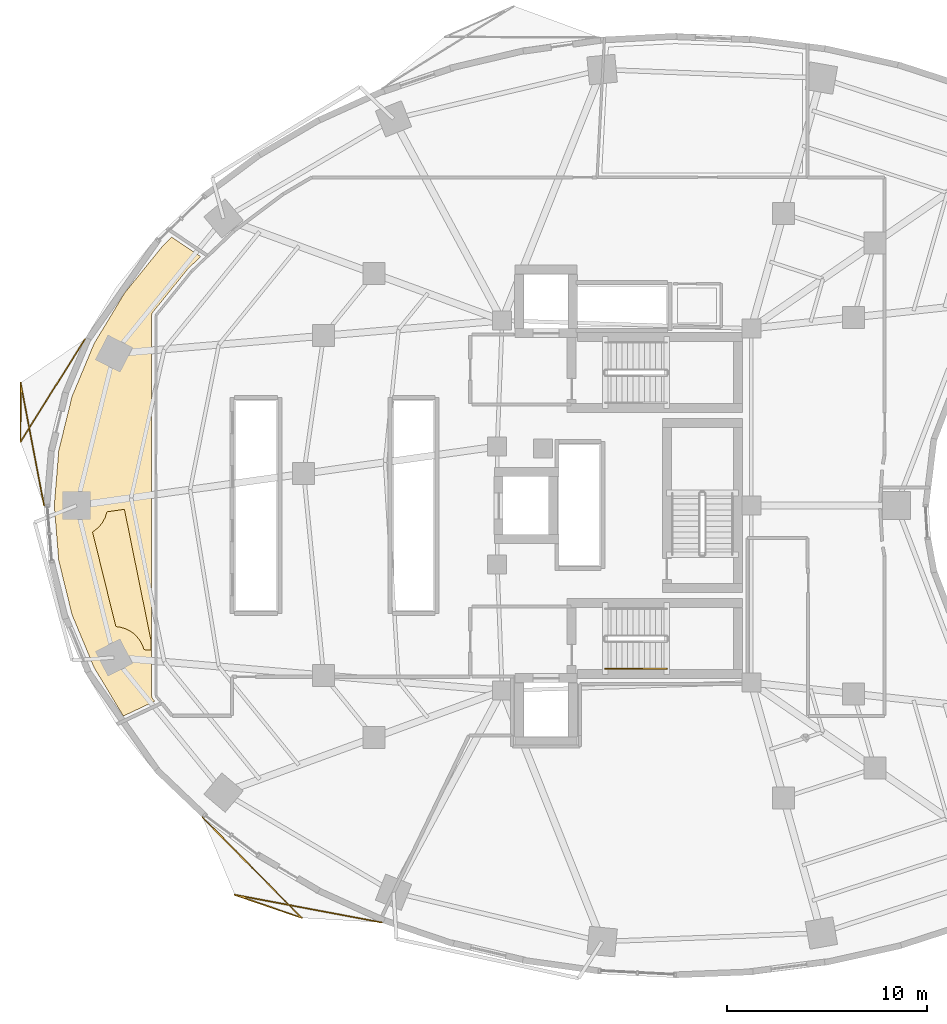
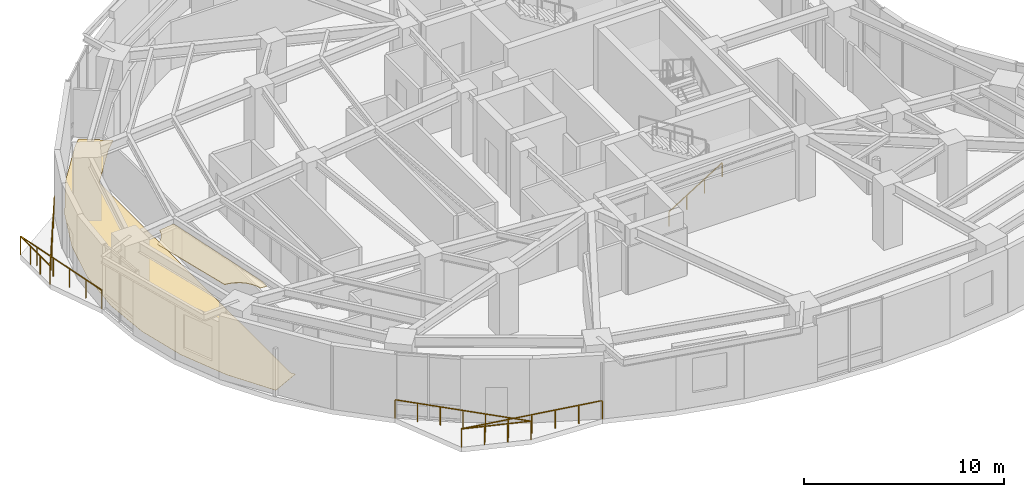
# One storey, part 12 of 13: 3 railings, 2 coverings.
"""IFC4 building model written with IfcOpenShell, lengths in metres."""

import ifcopenshell
import ifcopenshell.guid

model = None  # the IFC model being written
_history = None  # IfcOwnerHistory: only IFC2X3 demands one
_inside = {}  # id of a spatial element -> (the spatial element, [elements in it])
_under = {}  # id of a project, library or spatial element -> (it, [spatial elements below it])
_declared = {}  # id of a project -> (the project, [libraries it declares])
_typed = {}  # id of a type object -> (the type object, [elements of that type])
_made_of = {}  # id of a material, layer set ... -> (it, [elements and type objects made of it])


def new_model(schema):
    """Start an empty IFC model of exactly this schema.

    Asked for "IFC4X3", IfcOpenShell would pick the latest addendum, in which some entities
    have other attributes; the version numbers below select the first issue.
    IFC2X3 requires an IfcOwnerHistory on every rooted entity: one is made here for all.
    """
    global model, _history
    if schema == "IFC4X3":
        model = ifcopenshell.file(schema_version=(4, 3, 0, 0))
    else:
        model = ifcopenshell.file(schema=schema)
    _inside.clear()
    _under.clear()
    _declared.clear()
    _typed.clear()
    _made_of.clear()
    _history = None
    if model.schema == "IFC2X3":
        org = make("IfcOrganization", Name="unknown")
        user = make(
            "IfcPersonAndOrganization",
            ThePerson=make("IfcPerson", FamilyName="unknown"),
            TheOrganization=org,
        )
        app = make(
            "IfcApplication",
            ApplicationDeveloper=org,
            Version="unknown",
            ApplicationFullName="unknown",
            ApplicationIdentifier="unknown",
        )
        _history = make(
            "IfcOwnerHistory",
            OwningUser=user,
            OwningApplication=app,
            ChangeAction="ADDED",
            CreationDate=0,
        )
    return model


def make(cls, **values):
    """One entity of the class cls with the attributes given. An attribute that is None is left unset."""
    return model.create_entity(
        cls, **{name: value for name, value in values.items() if value is not None}
    )


def rooted(cls, **values):
    """An entity with a GlobalId (a new one), such as an element, a storey or a relation."""
    return make(cls, GlobalId=ifcopenshell.guid.new(), OwnerHistory=_history, **values)


def si_unit(unit_type, name, prefix=None):
    """IfcSIUnit, for example si_unit("LENGTHUNIT", "METRE", prefix="MILLI")."""
    return make("IfcSIUnit", UnitType=unit_type, Prefix=prefix, Name=name)


def assignment(units):
    """IfcUnitAssignment: the units of a project."""
    return None if units is None else make("IfcUnitAssignment", Units=units)


def point(xyz):
    """IfcCartesianPoint."""
    return None if xyz is None else make("IfcCartesianPoint", Coordinates=xyz)


def direction(xyz):
    """IfcDirection."""
    return None if xyz is None else make("IfcDirection", DirectionRatios=xyz)


def frame(location, z_axis=None, x_axis=None):
    """IfcAxis2Placement3D, a coordinate frame: its origin and axes. An axis left out is left unset."""
    return make(
        "IfcAxis2Placement3D",
        Location=point(location),
        Axis=direction(z_axis),
        RefDirection=direction(x_axis),
    )


def frame_2d(location, x_axis=None):
    """IfcAxis2Placement2D, a coordinate frame in the plane: its origin and x axis."""
    return make(
        "IfcAxis2Placement2D", Location=point(location), RefDirection=direction(x_axis)
    )


def origin():
    """The frame at (0, 0, 0) with its axes left unset."""
    return frame((0.0, 0.0, 0.0))


def origin_2d():
    """The frame at (0, 0) in the plane with its x axis left unset."""
    return frame_2d((0.0, 0.0))


def place(relative_to, where):
    """IfcLocalPlacement: puts the frame where relative to a parent placement (None: the world)."""
    return make(
        "IfcLocalPlacement", PlacementRelTo=relative_to, RelativePlacement=where
    )


def context(
    kind, dimensions, precision=None, world=None, true_north=None, identifier=None
):
    """IfcGeometricRepresentationContext, for example the 3D "Model" context."""
    return make(
        "IfcGeometricRepresentationContext",
        ContextIdentifier=identifier,
        ContextType=kind,
        CoordinateSpaceDimension=dimensions,
        Precision=precision,
        WorldCoordinateSystem=world,
        TrueNorth=true_north,
    )


def subcontext(parent, identifier, kind, view, scale=None):
    """IfcGeometricRepresentationSubContext, for example "Body" below "Model"."""
    return make(
        "IfcGeometricRepresentationSubContext",
        ContextIdentifier=identifier,
        ContextType=kind,
        ParentContext=parent,
        TargetScale=scale,
        TargetView=view,
    )


def project(units=None, contexts=None):
    """IfcProject with its units and contexts."""
    return rooted(
        "IfcProject",
        Name="project",
        RepresentationContexts=contexts,
        UnitsInContext=assignment(units),
    )


def spatial(cls, under=None, at=None, **own):
    """A site, building, storey or space (cls), placed at a placement, below another one or the project."""
    s = rooted(cls, ObjectPlacement=at, **own)
    if under is not None:
        _under.setdefault(under.id(), (under, []))[1].append(s)
    return s


def polyline(points):
    """IfcPolyline through the points."""
    return make("IfcPolyline", Points=[point(p) for p in points])


def profile(cls, at=None, kind="AREA", **sizes):
    """A parametric profile (cls). Its sizes go by their IFC names, for example OverallWidth=200.0."""
    return make(cls, ProfileType=kind, Position=at, **sizes)


def rectangle(**sizes):
    """IfcRectangleProfileDef."""
    return profile("IfcRectangleProfileDef", **sizes)


def outline(outer, holes=None, kind="AREA"):
    """IfcArbitraryClosedProfileDef: a profile drawn as a closed curve; with holes, ...WithVoids."""
    if holes is None:
        return make("IfcArbitraryClosedProfileDef", ProfileType=kind, OuterCurve=outer)
    return make(
        "IfcArbitraryProfileDefWithVoids",
        ProfileType=kind,
        OuterCurve=outer,
        InnerCurves=holes,
    )


def extrude(swept, where, along, depth):
    """IfcExtrudedAreaSolid: the profile swept, set in the frame where, extruded along a direction by depth."""
    return make(
        "IfcExtrudedAreaSolid",
        SweptArea=swept,
        Position=where,
        ExtrudedDirection=direction(along),
        Depth=depth,
    )


def shape(context_of_items, identifier, shape_type, items):
    """IfcShapeRepresentation: the items that make up one representation, for example the "Body"."""
    return make(
        "IfcShapeRepresentation",
        ContextOfItems=context_of_items,
        RepresentationIdentifier=identifier,
        RepresentationType=shape_type,
        Items=items,
    )


def material(Name=None, Category=None):
    """IfcMaterial."""
    return make("IfcMaterial", Name=Name, Category=Category)


def layer(
    of_material, thickness, ventilated=None, Name=None, Category=None, Priority=None
):
    """IfcMaterialLayer: one layer of a wall or slab, of a material (None: an air gap)."""
    return make(
        "IfcMaterialLayer",
        Material=of_material,
        LayerThickness=thickness,
        IsVentilated=ventilated,
        Name=Name,
        Category=Category,
        Priority=Priority,
    )


def layer_set(layers, Name=None):
    """IfcMaterialLayerSet."""
    return make("IfcMaterialLayerSet", MaterialLayers=layers, LayerSetName=Name)


def made_of(thing, what):
    """Note that an element or type object is made of a material, layer set ...; save() writes the relation."""
    if what is not None:
        _made_of.setdefault(what.id(), (what, []))[1].append(thing)
    return thing


def type_object(cls, material=None, **own):
    """A type object (cls), such as IfcWallType, which elements share."""
    return made_of(rooted(cls, **own), material)


def element(
    cls,
    number,
    at=None,
    inside=None,
    cuts=None,
    type_object=None,
    material=None,
    context=None,
    identifier="Body",
    shape_type=None,
    held_by="IfcProductDefinitionShape",
    body=None,
    shapes=None,
    **own,
):
    """One element of the class cls, such as IfcWall. Its Tag is "e" and its number.

    at: its placement. inside: the storey or other place that contains it. cuts: it is an
    opening in that element (IfcRelVoidsElement). A single representation is given by context,
    identifier, shape_type and body (its items); several are given by shapes. held_by: the class
    of the entity that holds the representations. save() writes the other relations.
    """
    e = rooted(cls, Tag="e%d" % number, ObjectPlacement=at, **own)
    if body is not None:
        shapes = [shape(context, identifier, shape_type, body)]
    if shapes is not None:
        e.Representation = make(held_by, Representations=shapes)
    if inside is not None:
        _inside.setdefault(inside.id(), (inside, []))[1].append(e)
    if cuts is not None:
        rooted(
            "IfcRelVoidsElement", RelatingBuildingElement=cuts, RelatedOpeningElement=e
        )
    if type_object is not None:
        _typed.setdefault(type_object.id(), (type_object, []))[1].append(e)
    return made_of(e, material)


def aggregate(whole, parts):
    """IfcRelAggregates: a whole, such as a stair, and the parts it consists of."""
    return rooted("IfcRelAggregates", RelatingObject=whole, RelatedObjects=parts)


def save(model, path):
    """Write the relations noted so far, then the file.

    IfcRelAggregates (storeys below a building ...), IfcRelContainedInSpatialStructure (elements
    in a storey), IfcRelDefinesByType, IfcRelAssociatesMaterial and IfcRelDeclares: one each for
    every whole, place, type object, material and project.
    """
    for whole, parts in _under.values():
        aggregate(whole, parts)
    for where, things in _inside.values():
        rooted(
            "IfcRelContainedInSpatialStructure",
            RelatedElements=things,
            RelatingStructure=where,
        )
    for kind, things in _typed.values():
        rooted("IfcRelDefinesByType", RelatedObjects=things, RelatingType=kind)
    for what, things in _made_of.values():
        rooted("IfcRelAssociatesMaterial", RelatedObjects=things, RelatingMaterial=what)
    for by, libraries in _declared.values():
        rooted("IfcRelDeclares", RelatingContext=by, RelatedDefinitions=libraries)
    model.write(path)


model = new_model("IFC4")

# Units and contexts
model_context = context("Model", 3, precision=1e-05, world=origin(), true_north=direction((0.0, 1.0)))
body_context = subcontext(model_context, "Body", "Model", "MODEL_VIEW")
ifc_project = project(units=[si_unit("LENGTHUNIT", "METRE"), si_unit("AREAUNIT", "SQUARE_METRE"), si_unit("VOLUMEUNIT", "CUBIC_METRE"), si_unit("PLANEANGLEUNIT", "RADIAN"), si_unit("MASSUNIT", "GRAM", prefix="KILO")], contexts=[model_context])

# Site, building, storey
site_placement = place(None, origin())
site = spatial("IfcSite", under=ifc_project, at=site_placement, CompositionType="ELEMENT")
building_placement = place(site_placement, origin())
building = spatial("IfcBuilding", under=site, at=building_placement, Name="Korentha Bioscience Tower", CompositionType="ELEMENT")
storey_placement = place(building_placement, frame((0.0, 0.0, 67.800048828125)))
storey = spatial("IfcBuildingStorey", under=building, at=storey_placement, Name="L15", CompositionType="ELEMENT", Elevation=67.800048828125)

# Railings
ifc_material_1 = material(Name="Stainless Steel 304", Category="steel")
railing_type_1 = type_object("IfcRailingType", Name="Brushed Stainless Stair Handrail 900", PredefinedType="HANDRAIL", material=ifc_material_1)
railing_1_placement = place(storey_placement, frame((30.25, 18.85009765625, 0.175048828125)))
element("IfcRailing", 1, at=railing_1_placement, inside=storey, type_object=railing_type_1, Name="L15 ST-2 stair handrail 1", PredefinedType="HANDRAIL", context=body_context, shape_type="SweptSolid", body=[
    extrude(rectangle(XDim=0.048095703125, YDim=0.048095703125, at=origin_2d()), frame((0.0, 0.0, 0.8759765625), z_axis=(0.848028513186, 0.0, 0.529950602248), x_axis=(0.0, 1.0, 0.0)), (0.0, 0.0, 1.0), 3.632080078125),
    extrude(rectangle(XDim=0.0419921875, YDim=0.0419921875, at=origin_2d()), origin(), (0.0, 0.0, 1.0), 0.851806640625),
    extrude(rectangle(XDim=0.0419921875, YDim=0.0419921875, at=origin_2d()), frame((1.026611328125, 0.0, 0.6416015625)), (0.0, 0.0, 1.0), 0.851806640625),
    extrude(rectangle(XDim=0.0419921875, YDim=0.0419921875, at=origin_2d()), frame((2.053466796875, 0.0, 1.283203125)), (0.0, 0.0, 1.0), 0.851806640625),
    extrude(rectangle(XDim=0.0419921875, YDim=0.0419921875, at=origin_2d()), frame((3.080078125, 0.0, 1.9248046875)), (0.0, 0.0, 1.0), 0.851806640625),
])
ifc_material_2 = material(Name="Laminated Tempered Safety Glass", Category="glass")
railing_type_2 = type_object("IfcRailingType", Name="Laminated Glass Balcony Guardrail 1150", PredefinedType="BALUSTRADE", material=ifc_material_2)
railing_2_placement = place(storey_placement, frame((4.246337890625, 35.3291015625, 0.0)))
element("IfcRailing", 2, at=railing_2_placement, inside=storey, type_object=railing_type_2, Name="L15 Balcony Guardrail 02", PredefinedType="BALUSTRADE", context=body_context, shape_type="SweptSolid", body=[
    extrude(rectangle(XDim=0.048095703125, YDim=0.048095703125, at=origin_2d()), frame((0.0, 0.0, 1.1259765625), z_axis=(-0.530529545818, -0.847666444431, 0.0), x_axis=(0.847666444431, -0.530529545818, 0.0)), (0.0, 0.0, 1.0), 6.07861328125),
    extrude(rectangle(XDim=0.048095703125, YDim=0.048095703125, at=origin_2d()), frame((-3.224853515625, -5.152587890625, 1.1259765625), z_axis=(0.001898939773, 0.999998197012, 0.0), x_axis=(-0.999998197012, 0.001898939773, 0.0)), (0.0, 0.0, 1.0), 2.95703125),
    extrude(rectangle(XDim=0.048095703125, YDim=0.048095703125, at=origin_2d()), frame((-3.21923828125, -2.195556640625, 1.1259765625), z_axis=(0.18781629778, -0.982204173422, 0.0), x_axis=(0.982204173422, 0.18781629778, 0.0)), (0.0, 0.0, 1.0), 6.24462890625),
    extrude(rectangle(XDim=0.0419921875, YDim=0.0419921875, at=origin_2d()), origin(), (0.0, 0.0, 1.0), 1.101806640625),
    extrude(rectangle(XDim=0.0419921875, YDim=0.0419921875, at=origin_2d()), frame((-0.64501953125, -1.030517578125, 0.0)), (0.0, 0.0, 1.0), 1.101806640625),
    extrude(rectangle(XDim=0.0419921875, YDim=0.0419921875, at=origin_2d()), frame((-1.2900390625, -2.06103515625, 0.0)), (0.0, 0.0, 1.0), 1.101806640625),
    extrude(rectangle(XDim=0.0419921875, YDim=0.0419921875, at=origin_2d()), frame((-1.934814453125, -3.091552734375, 0.0)), (0.0, 0.0, 1.0), 1.101806640625),
    extrude(rectangle(XDim=0.0419921875, YDim=0.0419921875, at=origin_2d()), frame((-2.579833984375, -4.1220703125, 0.0)), (0.0, 0.0, 1.0), 1.101806640625),
    extrude(rectangle(XDim=0.0419921875, YDim=0.0419921875, at=origin_2d()), frame((-3.224853515625, -5.152587890625, 0.0)), (0.0, 0.0, 1.0), 1.101806640625),
    extrude(rectangle(XDim=0.0419921875, YDim=0.0419921875, at=origin_2d()), frame((-3.222900390625, -4.1669921875, 0.0)), (0.0, 0.0, 1.0), 1.101806640625),
    extrude(rectangle(XDim=0.0419921875, YDim=0.0419921875, at=origin_2d()), frame((-3.22119140625, -3.18115234375, 0.0)), (0.0, 0.0, 1.0), 1.101806640625),
    extrude(rectangle(XDim=0.0419921875, YDim=0.0419921875, at=origin_2d()), frame((-3.21923828125, -2.195556640625, 0.0)), (0.0, 0.0, 1.0), 1.101806640625),
    extrude(rectangle(XDim=0.0419921875, YDim=0.0419921875, at=origin_2d()), frame((-2.984619140625, -3.42236328125, 0.0)), (0.0, 0.0, 1.0), 1.101806640625),
    extrude(rectangle(XDim=0.0419921875, YDim=0.0419921875, at=origin_2d()), frame((-2.75, -4.64892578125, 0.0)), (0.0, 0.0, 1.0), 1.101806640625),
    extrude(rectangle(XDim=0.0419921875, YDim=0.0419921875, at=origin_2d()), frame((-2.515625, -5.875732421875, 0.0)), (0.0, 0.0, 1.0), 1.101806640625),
    extrude(rectangle(XDim=0.0419921875, YDim=0.0419921875, at=origin_2d()), frame((-2.281005859375, -7.102294921875, 0.0)), (0.0, 0.0, 1.0), 1.101806640625),
    extrude(rectangle(XDim=0.0419921875, YDim=0.0419921875, at=origin_2d()), frame((-2.04638671875, -8.3291015625, 0.0)), (0.0, 0.0, 1.0), 1.101806640625),
])
railing_3_placement = place(storey_placement, frame((10.1220703125, 11.41357421875, 0.0)))
element("IfcRailing", 3, at=railing_3_placement, inside=storey, type_object=railing_type_2, Name="L15 Balcony Guardrail 03", PredefinedType="BALUSTRADE", context=body_context, shape_type="SweptSolid", body=[
    extrude(rectangle(XDim=0.048095703125, YDim=0.048095703125, at=origin_2d()), frame((0.0, 0.0, 1.1259765625), z_axis=(0.702297818863, -0.711883258421, 0.0), x_axis=(0.711883258421, 0.702297818863, 0.0)), (0.0, 0.0, 1.0), 7.05517578125),
    extrude(rectangle(XDim=0.048095703125, YDim=0.048095703125, at=origin_2d()), frame((4.954833984375, -5.0224609375, 1.1259765625), z_axis=(-0.945411031533, 0.325880317687, 0.0), x_axis=(-0.325880317687, -0.945411031533, 0.0)), (0.0, 0.0, 1.0), 3.545166015625),
    extrude(rectangle(XDim=0.048095703125, YDim=0.048095703125, at=origin_2d()), frame((1.603271484375, -3.8671875, 1.1259765625), z_axis=(0.982707994599, -0.185162084002, 0.0), x_axis=(0.185162084002, 0.982707994599, 0.0)), (0.0, 0.0, 1.0), 7.474609375),
    extrude(rectangle(XDim=0.0419921875, YDim=0.0419921875, at=origin_2d()), origin(), (0.0, 0.0, 1.0), 1.101806640625),
    extrude(rectangle(XDim=0.0419921875, YDim=0.0419921875, at=origin_2d()), frame((0.82568359375, -0.837158203125, 0.0)), (0.0, 0.0, 1.0), 1.101806640625),
    extrude(rectangle(XDim=0.0419921875, YDim=0.0419921875, at=origin_2d()), frame((1.651611328125, -1.674072265625, 0.0)), (0.0, 0.0, 1.0), 1.101806640625),
    extrude(rectangle(XDim=0.0419921875, YDim=0.0419921875, at=origin_2d()), frame((2.4775390625, -2.51123046875, 0.0)), (0.0, 0.0, 1.0), 1.101806640625),
    extrude(rectangle(XDim=0.0419921875, YDim=0.0419921875, at=origin_2d()), frame((3.30322265625, -3.348388671875, 0.0)), (0.0, 0.0, 1.0), 1.101806640625),
    extrude(rectangle(XDim=0.0419921875, YDim=0.0419921875, at=origin_2d()), frame((4.12890625, -4.185302734375, 0.0)), (0.0, 0.0, 1.0), 1.101806640625),
    extrude(rectangle(XDim=0.0419921875, YDim=0.0419921875, at=origin_2d()), frame((4.954833984375, -5.0224609375, 0.0)), (0.0, 0.0, 1.0), 1.101806640625),
    extrude(rectangle(XDim=0.0419921875, YDim=0.0419921875, at=origin_2d()), frame((3.837646484375, -4.637451171875, 0.0)), (0.0, 0.0, 1.0), 1.101806640625),
    extrude(rectangle(XDim=0.0419921875, YDim=0.0419921875, at=origin_2d()), frame((2.720458984375, -4.252197265625, 0.0)), (0.0, 0.0, 1.0), 1.101806640625),
    extrude(rectangle(XDim=0.0419921875, YDim=0.0419921875, at=origin_2d()), frame((1.603271484375, -3.8671875, 0.0)), (0.0, 0.0, 1.0), 1.101806640625),
    extrude(rectangle(XDim=0.0419921875, YDim=0.0419921875, at=origin_2d()), frame((2.82763671875, -4.097900390625, 0.0)), (0.0, 0.0, 1.0), 1.101806640625),
    extrude(rectangle(XDim=0.0419921875, YDim=0.0419921875, at=origin_2d()), frame((4.0517578125, -4.32861328125, 0.0)), (0.0, 0.0, 1.0), 1.101806640625),
    extrude(rectangle(XDim=0.0419921875, YDim=0.0419921875, at=origin_2d()), frame((5.27587890625, -4.55908203125, 0.0)), (0.0, 0.0, 1.0), 1.101806640625),
    extrude(rectangle(XDim=0.0419921875, YDim=0.0419921875, at=origin_2d()), frame((6.500244140625, -4.789794921875, 0.0)), (0.0, 0.0, 1.0), 1.101806640625),
    extrude(rectangle(XDim=0.0419921875, YDim=0.0419921875, at=origin_2d()), frame((7.724609375, -5.0205078125, 0.0)), (0.0, 0.0, 1.0), 1.101806640625),
    extrude(rectangle(XDim=0.0419921875, YDim=0.0419921875, at=origin_2d()), frame((8.94873046875, -5.251220703125, 0.0)), (0.0, 0.0, 1.0), 1.101806640625),
])

# Coverings
ifc_material_3 = material(Name="Antimicrobial Mineral Fibre Board", Category="gypsum")
ifc_layer_1 = layer(ifc_material_3, 0.034912109375, Name="Antimicrobial Mineral Fibre Board")
ifc_layer_set_1 = layer_set([ifc_layer_1], Name="Antimicrobial Mineral Fibre Board (CL-MF35)")
covering_type_1 = type_object("IfcCoveringType", Name="Mineral-Fibre Cleanroom Suspended Ceiling 35", PredefinedType="CEILING", material=ifc_layer_set_1)
covering_1_placement = place(storey_placement, frame((0.0, 0.0, 3.864990234375)))
element("IfcCovering", 4, at=covering_1_placement, inside=storey, type_object=covering_type_1, Name="L15 Clinical Trials Data Office 06 Acoustic Ceiling", PredefinedType="CEILING", context=body_context, shape_type="SweptSolid", body=[
    extrude(outline(polyline([(7.19287109375, 19.798583984375), (7.127685546875, 19.99755859375), (6.984619140625, 20.265380859375), (6.791748046875, 20.50048828125), (6.678955078125, 20.6025390625), (6.556884765625, 20.693115234375), (6.288818359375, 20.83642578125), (5.998046875, 20.924560546875), (5.787841796875, 20.949951171875), (4.62451171875, 25.6748046875), (4.92138671875, 25.90478515625), (5.1142578125, 26.1396484375), (5.25732421875, 26.40771484375), (5.34326171875, 26.688720703125), (6.217041015625, 26.811279296875), (7.5400390625, 20.283203125), (7.5400390625, 19.76904296875), (7.19287109375, 19.798583984375)])), origin(), (0.0, 0.0, 1.0), 0.034912109375),
])
ifc_material_4 = material(Name="Chemical-Resistant Epoxy Resin", Category="polymer")
ifc_layer_2 = layer(ifc_material_4, 0.011962890625, Name="Chemical-Resistant Epoxy Resin")
ifc_layer_set_2 = layer_set([ifc_layer_2], Name="Chemical-Resistant Epoxy Resin (FL-EPX)")
covering_type_2 = type_object("IfcCoveringType", Name="Seamless Epoxy Laboratory Flooring 12", PredefinedType="FLOORING", material=ifc_layer_set_2)
covering_2_placement = place(storey_placement, origin())
element("IfcCovering", 5, at=covering_2_placement, inside=storey, type_object=covering_type_2, Name="L15 Clinical Trials Data Office 06 Floor Finish", PredefinedType="FLOORING", context=body_context, shape_type="SweptSolid", body=[
    extrude(outline(polyline([(2.9345703125, 29.74853515625), (3.60009765625, 32.4580078125), (4.702392578125, 35.097900390625), (6.225830078125, 37.623779296875), (8.15087890625, 40.001708984375), (8.58251953125, 40.41357421875), (10.0283203125, 39.443115234375), (9.39404296875, 38.835693359375), (7.62109375, 36.64599609375), (7.572509765625, 36.53515625), (7.570068359375, 17.498779296875), (7.601806640625, 17.382080078125), (7.730712890625, 17.218994140625), (6.163818359375, 16.47900390625), (4.702392578125, 18.90185546875), (3.600830078125, 21.53955078125), (2.934814453125, 24.251220703125), (2.711669921875, 27.0), (2.9345703125, 29.74853515625)])), origin(), (0.0, 0.0, 1.0), 0.011962890625),
])

save(model, "model.ifc")
